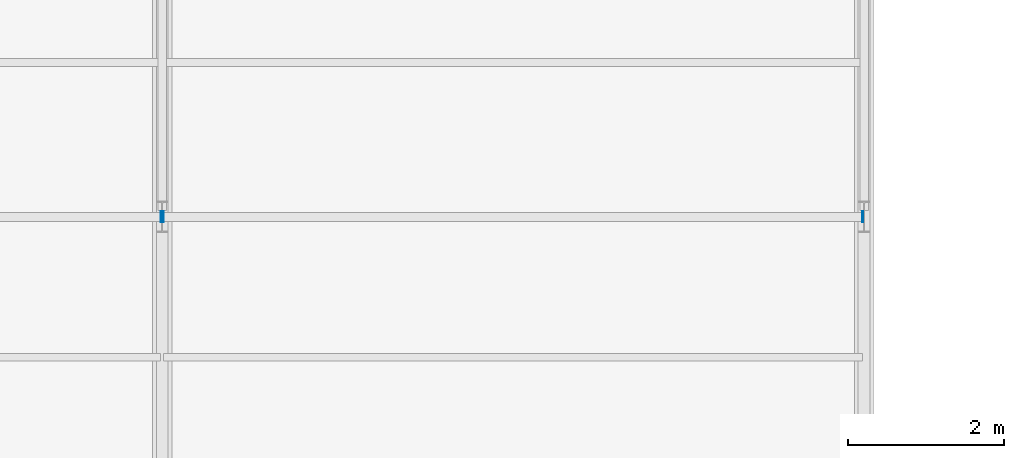
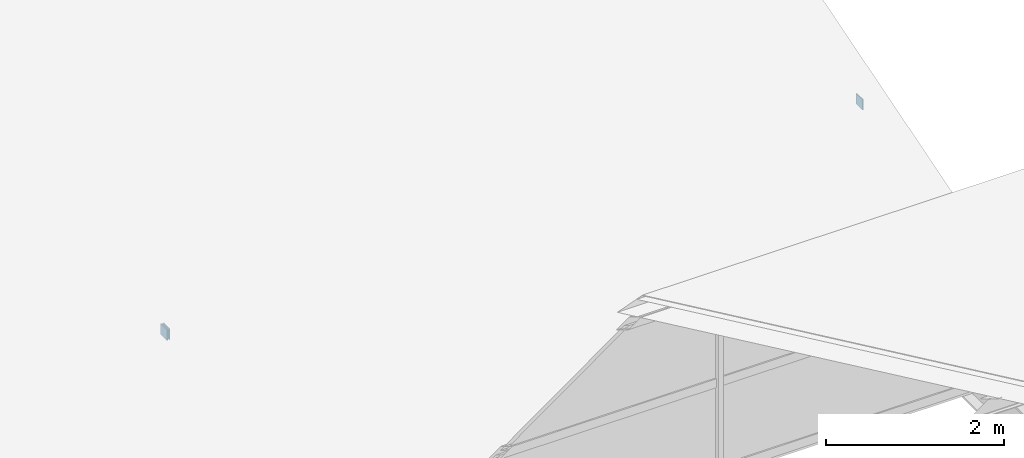
# One storey, part 145 of 163: 3 plates.
"""IFC4 building model written with IfcOpenShell, lengths in metres."""

import ifcopenshell
import ifcopenshell.guid

model = None  # the IFC model being written
_history = None  # IfcOwnerHistory: only IFC2X3 demands one
_inside = {}  # id of a spatial element -> (the spatial element, [elements in it])
_under = {}  # id of a project, library or spatial element -> (it, [spatial elements below it])
_declared = {}  # id of a project -> (the project, [libraries it declares])
_typed = {}  # id of a type object -> (the type object, [elements of that type])
_made_of = {}  # id of a material, layer set ... -> (it, [elements and type objects made of it])


def new_model(schema):
    """Start an empty IFC model of exactly this schema.

    Asked for "IFC4X3", IfcOpenShell would pick the latest addendum, in which some entities
    have other attributes; the version numbers below select the first issue.
    IFC2X3 requires an IfcOwnerHistory on every rooted entity: one is made here for all.
    """
    global model, _history
    if schema == "IFC4X3":
        model = ifcopenshell.file(schema_version=(4, 3, 0, 0))
    else:
        model = ifcopenshell.file(schema=schema)
    _inside.clear()
    _under.clear()
    _declared.clear()
    _typed.clear()
    _made_of.clear()
    _history = None
    if model.schema == "IFC2X3":
        org = make("IfcOrganization", Name="unknown")
        user = make(
            "IfcPersonAndOrganization",
            ThePerson=make("IfcPerson", FamilyName="unknown"),
            TheOrganization=org,
        )
        app = make(
            "IfcApplication",
            ApplicationDeveloper=org,
            Version="unknown",
            ApplicationFullName="unknown",
            ApplicationIdentifier="unknown",
        )
        _history = make(
            "IfcOwnerHistory",
            OwningUser=user,
            OwningApplication=app,
            ChangeAction="ADDED",
            CreationDate=0,
        )
    return model


def make(cls, **values):
    """One entity of the class cls with the attributes given. An attribute that is None is left unset."""
    return model.create_entity(
        cls, **{name: value for name, value in values.items() if value is not None}
    )


def rooted(cls, **values):
    """An entity with a GlobalId (a new one), such as an element, a storey or a relation."""
    return make(cls, GlobalId=ifcopenshell.guid.new(), OwnerHistory=_history, **values)


def si_unit(unit_type, name, prefix=None):
    """IfcSIUnit, for example si_unit("LENGTHUNIT", "METRE", prefix="MILLI")."""
    return make("IfcSIUnit", UnitType=unit_type, Prefix=prefix, Name=name)


def assignment(units):
    """IfcUnitAssignment: the units of a project."""
    return None if units is None else make("IfcUnitAssignment", Units=units)


def point(xyz):
    """IfcCartesianPoint."""
    return None if xyz is None else make("IfcCartesianPoint", Coordinates=xyz)


def direction(xyz):
    """IfcDirection."""
    return None if xyz is None else make("IfcDirection", DirectionRatios=xyz)


def frame(location, z_axis=None, x_axis=None):
    """IfcAxis2Placement3D, a coordinate frame: its origin and axes. An axis left out is left unset."""
    return make(
        "IfcAxis2Placement3D",
        Location=point(location),
        Axis=direction(z_axis),
        RefDirection=direction(x_axis),
    )


def frame_2d(location, x_axis=None):
    """IfcAxis2Placement2D, a coordinate frame in the plane: its origin and x axis."""
    return make(
        "IfcAxis2Placement2D", Location=point(location), RefDirection=direction(x_axis)
    )


def origin():
    """The frame at (0, 0, 0) with its axes left unset."""
    return frame((0.0, 0.0, 0.0))


def origin_2d():
    """The frame at (0, 0) in the plane with its x axis left unset."""
    return frame_2d((0.0, 0.0))


def place(relative_to, where):
    """IfcLocalPlacement: puts the frame where relative to a parent placement (None: the world)."""
    return make(
        "IfcLocalPlacement", PlacementRelTo=relative_to, RelativePlacement=where
    )


def context(
    kind, dimensions, precision=None, world=None, true_north=None, identifier=None
):
    """IfcGeometricRepresentationContext, for example the 3D "Model" context."""
    return make(
        "IfcGeometricRepresentationContext",
        ContextIdentifier=identifier,
        ContextType=kind,
        CoordinateSpaceDimension=dimensions,
        Precision=precision,
        WorldCoordinateSystem=world,
        TrueNorth=true_north,
    )


def subcontext(parent, identifier, kind, view, scale=None):
    """IfcGeometricRepresentationSubContext, for example "Body" below "Model"."""
    return make(
        "IfcGeometricRepresentationSubContext",
        ContextIdentifier=identifier,
        ContextType=kind,
        ParentContext=parent,
        TargetScale=scale,
        TargetView=view,
    )


def project(units=None, contexts=None):
    """IfcProject with its units and contexts."""
    return rooted(
        "IfcProject",
        Name="project",
        RepresentationContexts=contexts,
        UnitsInContext=assignment(units),
    )


def spatial(cls, under=None, at=None, **own):
    """A site, building, storey or space (cls), placed at a placement, below another one or the project."""
    s = rooted(cls, ObjectPlacement=at, **own)
    if under is not None:
        _under.setdefault(under.id(), (under, []))[1].append(s)
    return s


def profile(cls, at=None, kind="AREA", **sizes):
    """A parametric profile (cls). Its sizes go by their IFC names, for example OverallWidth=200.0."""
    return make(cls, ProfileType=kind, Position=at, **sizes)


def rectangle(**sizes):
    """IfcRectangleProfileDef."""
    return profile("IfcRectangleProfileDef", **sizes)


def extrude(swept, where, along, depth):
    """IfcExtrudedAreaSolid: the profile swept, set in the frame where, extruded along a direction by depth."""
    return make(
        "IfcExtrudedAreaSolid",
        SweptArea=swept,
        Position=where,
        ExtrudedDirection=direction(along),
        Depth=depth,
    )


def shape(context_of_items, identifier, shape_type, items):
    """IfcShapeRepresentation: the items that make up one representation, for example the "Body"."""
    return make(
        "IfcShapeRepresentation",
        ContextOfItems=context_of_items,
        RepresentationIdentifier=identifier,
        RepresentationType=shape_type,
        Items=items,
    )


def material(Name=None, Category=None):
    """IfcMaterial."""
    return make("IfcMaterial", Name=Name, Category=Category)


def layer(
    of_material, thickness, ventilated=None, Name=None, Category=None, Priority=None
):
    """IfcMaterialLayer: one layer of a wall or slab, of a material (None: an air gap)."""
    return make(
        "IfcMaterialLayer",
        Material=of_material,
        LayerThickness=thickness,
        IsVentilated=ventilated,
        Name=Name,
        Category=Category,
        Priority=Priority,
    )


def layer_set(layers, Name=None):
    """IfcMaterialLayerSet."""
    return make("IfcMaterialLayerSet", MaterialLayers=layers, LayerSetName=Name)


def made_of(thing, what):
    """Note that an element or type object is made of a material, layer set ...; save() writes the relation."""
    if what is not None:
        _made_of.setdefault(what.id(), (what, []))[1].append(thing)
    return thing


def type_object(cls, material=None, **own):
    """A type object (cls), such as IfcWallType, which elements share."""
    return made_of(rooted(cls, **own), material)


def element(
    cls,
    number,
    at=None,
    inside=None,
    cuts=None,
    type_object=None,
    material=None,
    context=None,
    identifier="Body",
    shape_type=None,
    held_by="IfcProductDefinitionShape",
    body=None,
    shapes=None,
    **own,
):
    """One element of the class cls, such as IfcWall. Its Tag is "e" and its number.

    at: its placement. inside: the storey or other place that contains it. cuts: it is an
    opening in that element (IfcRelVoidsElement). A single representation is given by context,
    identifier, shape_type and body (its items); several are given by shapes. held_by: the class
    of the entity that holds the representations. save() writes the other relations.
    """
    e = rooted(cls, Tag="e%d" % number, ObjectPlacement=at, **own)
    if body is not None:
        shapes = [shape(context, identifier, shape_type, body)]
    if shapes is not None:
        e.Representation = make(held_by, Representations=shapes)
    if inside is not None:
        _inside.setdefault(inside.id(), (inside, []))[1].append(e)
    if cuts is not None:
        rooted(
            "IfcRelVoidsElement", RelatingBuildingElement=cuts, RelatedOpeningElement=e
        )
    if type_object is not None:
        _typed.setdefault(type_object.id(), (type_object, []))[1].append(e)
    return made_of(e, material)


def aggregate(whole, parts):
    """IfcRelAggregates: a whole, such as a stair, and the parts it consists of."""
    return rooted("IfcRelAggregates", RelatingObject=whole, RelatedObjects=parts)


def save(model, path):
    """Write the relations noted so far, then the file.

    IfcRelAggregates (storeys below a building ...), IfcRelContainedInSpatialStructure (elements
    in a storey), IfcRelDefinesByType, IfcRelAssociatesMaterial and IfcRelDeclares: one each for
    every whole, place, type object, material and project.
    """
    for whole, parts in _under.values():
        aggregate(whole, parts)
    for where, things in _inside.values():
        rooted(
            "IfcRelContainedInSpatialStructure",
            RelatedElements=things,
            RelatingStructure=where,
        )
    for kind, things in _typed.values():
        rooted("IfcRelDefinesByType", RelatedObjects=things, RelatingType=kind)
    for what, things in _made_of.values():
        rooted("IfcRelAssociatesMaterial", RelatedObjects=things, RelatingMaterial=what)
    for by, libraries in _declared.values():
        rooted("IfcRelDeclares", RelatingContext=by, RelatedDefinitions=libraries)
    model.write(path)


model = new_model("IFC4")

# Units and contexts
model_context = context("Model", 3, precision=1e-05, world=origin(), true_north=direction((0.0, 1.0)))
body_context = subcontext(model_context, "Body", "Model", "MODEL_VIEW")
ifc_project = project(units=[si_unit("LENGTHUNIT", "METRE"), si_unit("AREAUNIT", "SQUARE_METRE"), si_unit("VOLUMEUNIT", "CUBIC_METRE"), si_unit("PLANEANGLEUNIT", "RADIAN"), si_unit("MASSUNIT", "GRAM", prefix="KILO")], contexts=[model_context])

# Site, building, storey
site_placement = place(None, origin())
site = spatial("IfcSite", under=ifc_project, at=site_placement, CompositionType="ELEMENT")
building_placement = place(site_placement, origin())
building = spatial("IfcBuilding", under=site, at=building_placement, Name="Tharagai Park Tramway Depot", CompositionType="ELEMENT")
storey_placement = place(building_placement, frame((0.0, 0.0, 8.39990234375)))
storey = spatial("IfcBuildingStorey", under=building, at=storey_placement, Name="L02", CompositionType="ELEMENT", Elevation=8.39990234375)

# Plates
ifc_material = material(Name="Steel E350", Category="steel")
ifc_layer = layer(ifc_material, 0.011962890625)
ifc_layer_set = layer_set([ifc_layer], Name="Steel E350")
plate_type = type_object("IfcPlateType", Name="GP-04", PredefinedType="SHEET", material=ifc_layer_set)
for number, where, z_axis, x_axis, name in (
    (1, (134.986083984375, 112.5, 1.87451171875), (0.0, 0.0, 1.0), (1.0, 0.0, 0.0), "Tube End Cap Plate GP-04"),
    (2, (135.013916015625, 112.5, 1.87451171875), (0.0, 0.0, 1.0), (1.0, 0.0, 0.0), "Tube End Cap Plate GP-04"),
    (3, (143.986083984375, 112.5, 1.87451171875), (0.0, 0.0, 1.0), (1.0, 0.0, 0.0), "Tube End Cap Plate GP-04"),
):
    element("IfcPlate", number, at=place(storey_placement, frame(where, z_axis=z_axis, x_axis=x_axis)), inside=storey, type_object=plate_type, Name=name, PredefinedType="SHEET", context=body_context, shape_type="SweptSolid", body=[
        extrude(rectangle(XDim=0.011962890625, YDim=0.144287109375, at=origin_2d()), origin(), (0.0, 0.0, 1.0), 0.144287109375),
    ])

save(model, "model.ifc")
